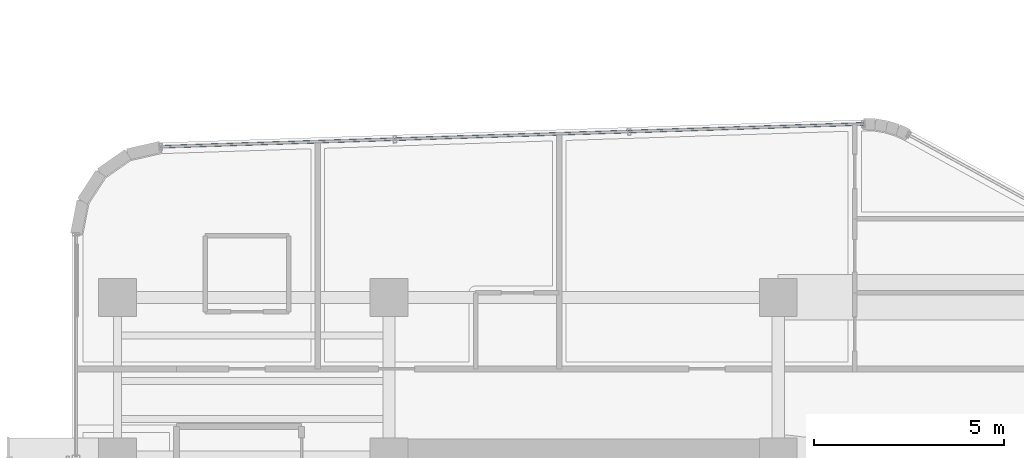
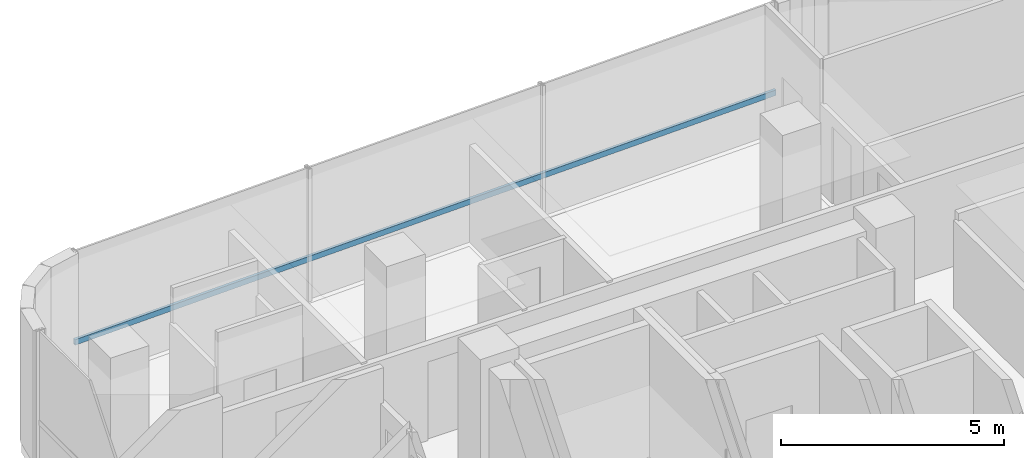
# One storey, part 19 of 38: 1 member, 1 element without a shape of its own.
"""IFC4 building model written with IfcOpenShell, lengths in metres."""

from ifc_helpers import new_model, si_unit, direction, frame, origin, origin_2d, place, context, subcontext, project, spatial, hollow_rectangle, extrude, source, transform, mapped, material, material_profile, profile_set, type_object, element, aggregate, save


model = new_model("IFC4")

# Units and contexts
model_context = context("Model", 3, precision=1e-05, world=origin(), true_north=direction((0.0, 1.0)))
body_context = subcontext(model_context, "Body", "Model", "MODEL_VIEW")
ifc_project = project(units=[si_unit("LENGTHUNIT", "METRE"), si_unit("AREAUNIT", "SQUARE_METRE"), si_unit("VOLUMEUNIT", "CUBIC_METRE"), si_unit("PLANEANGLEUNIT", "RADIAN"), si_unit("MASSUNIT", "GRAM", prefix="KILO")], contexts=[model_context])

# Site, building, storey
site_placement = place(None, origin())
site = spatial("IfcSite", under=ifc_project, at=site_placement, CompositionType="ELEMENT")
building_placement = place(site_placement, origin())
building = spatial("IfcBuilding", under=site, at=building_placement, Name="Valdorenza Pilgrim Sanctuary Tower", CompositionType="ELEMENT")
storey_placement = place(building_placement, frame((0.0, 0.0, 180.5)))
storey = spatial("IfcBuildingStorey", under=building, at=storey_placement, Name="L46", CompositionType="ELEMENT", Elevation=180.5)

# Curtain wall, member
ifc_material_1 = material(Name="Curtain-wall IGU glazing", Category="glass")
curtain_wall_type = type_object("IfcCurtainWallType", Name="CW-SYS-02", PredefinedType="NOTDEFINED", material=ifc_material_1)
curtain_wall_placement = place(storey_placement, origin())
curtain_wall = element("IfcCurtainWall", 1, at=curtain_wall_placement, inside=storey, type_object=curtain_wall_type, Name="L46 Curtain Wall CW-L46-1-6", PredefinedType="NOTDEFINED")
ifc_material_2 = material(Name="Anodised aluminium AW-6060", Category="aluminium")
ifc_material_profile = material_profile(ifc_material_2, hollow_rectangle(XDim=0.074951171875, YDim=0.14990234375, WallThickness=0.00390625, at=origin_2d()), Name="ALU-T 150x75x4")
ifc_profile_set = profile_set([ifc_material_profile], Name="Anodised aluminium AW-6060")
member_type = type_object("IfcMemberType", Name="CW-TRN-02", PredefinedType="USERDEFINED", material=ifc_profile_set)
shared_shape = source(origin(), body_context, "Body", "SweptSolid", [
    extrude(hollow_rectangle(XDim=0.074951171875, YDim=0.14990234375, WallThickness=0.00390625, at=origin_2d()), origin(), (0.0, 0.0, 1.0), 18.515625),
])
member_placement = place(storey_placement, frame((-28.663818359375, 18.76611328125, 1.1201171875), z_axis=(0.99947079366, 0.032528950501, 0.0), x_axis=(-0.032528950501, 0.99947079366, 0.0)))
member = element("IfcMember", 2, at=member_placement, type_object=member_type, Name="CW-L46-1-6 Transom 1", ObjectType="TRANSOM", PredefinedType="USERDEFINED", context=body_context, shape_type="MappedRepresentation", body=[
    mapped(shared_shape, transform((0.0, 0.0, 0.0), x_axis=(1.0, 0.0, 0.0), y_axis=(0.0, 1.0, 0.0), z_axis=(0.0, 0.0, 1.0), scale=1.0)),
])
aggregate(curtain_wall, [member])

save(model, "model.ifc")
